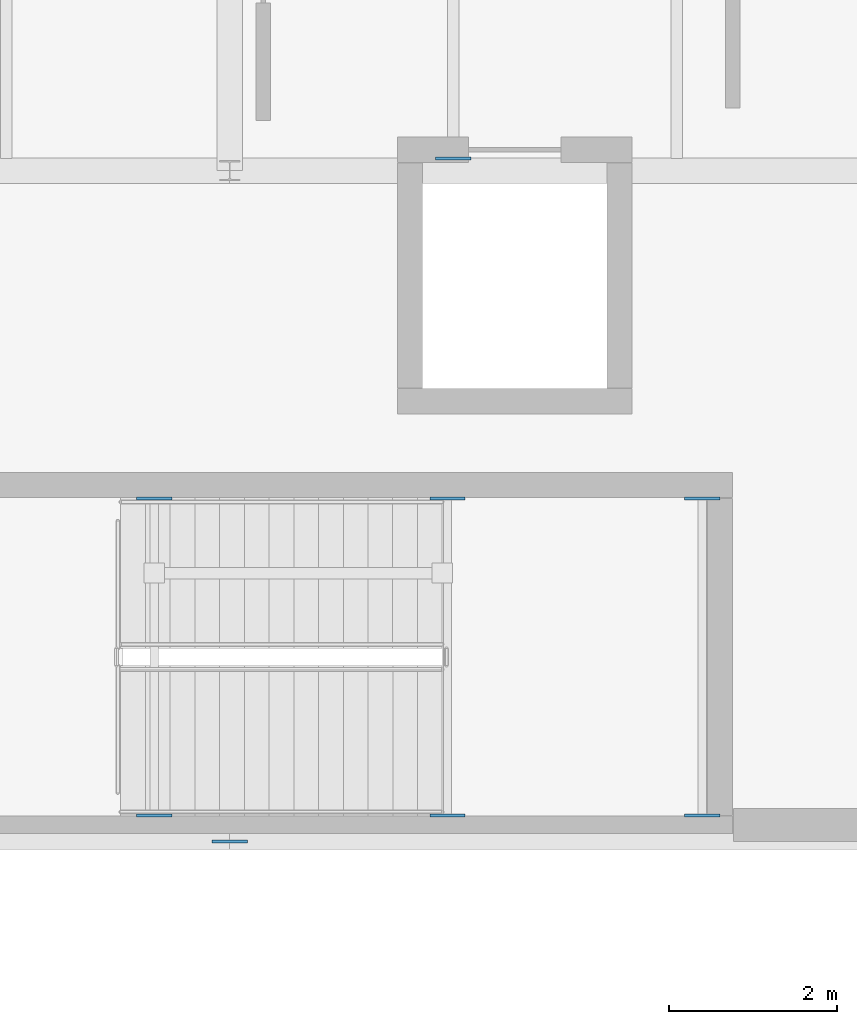
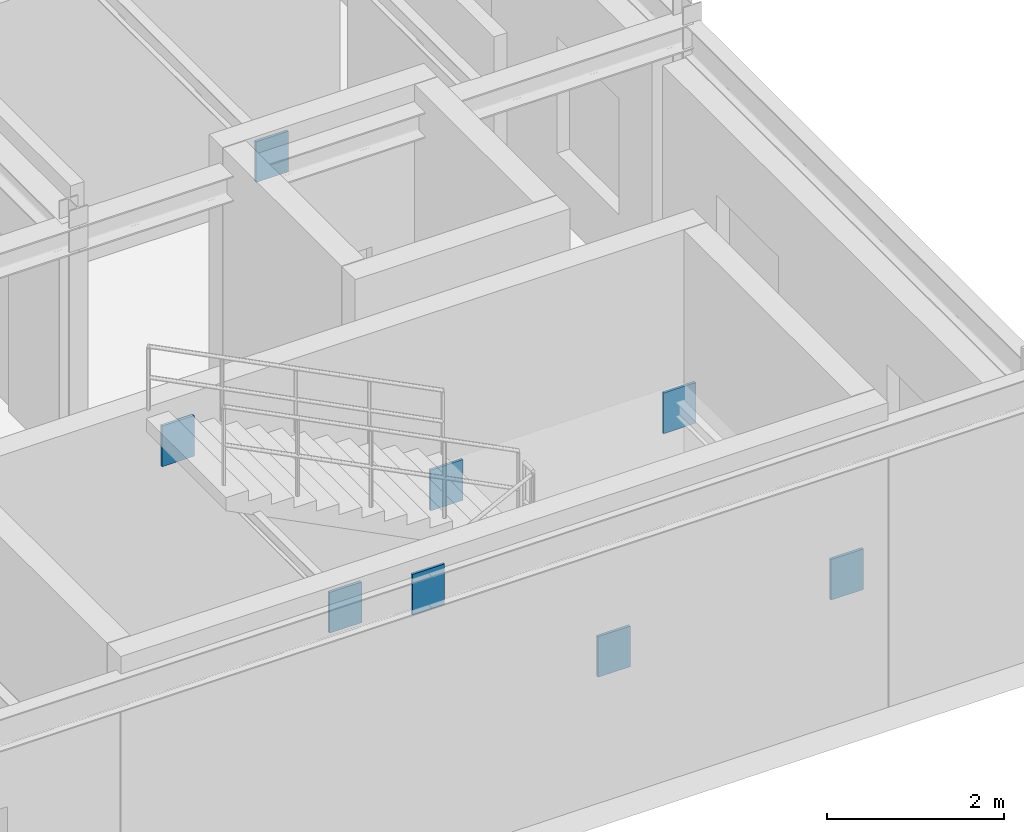
# One storey, part 73 of 124: 8 plates.
"""IFC4 building model written with IfcOpenShell, lengths in metres."""

from ifc_helpers import new_model, si_unit, direction, frame, origin, origin_2d, place, context, subcontext, project, spatial, rectangle, extrude, material, layer, layer_set, type_object, element, save


model = new_model("IFC4")

# Units and contexts
model_context = context("Model", 3, precision=1e-05, world=origin(), true_north=direction((0.0, 1.0)))
body_context = subcontext(model_context, "Body", "Model", "MODEL_VIEW")
ifc_project = project(units=[si_unit("LENGTHUNIT", "METRE"), si_unit("AREAUNIT", "SQUARE_METRE"), si_unit("VOLUMEUNIT", "CUBIC_METRE"), si_unit("PLANEANGLEUNIT", "RADIAN"), si_unit("MASSUNIT", "GRAM", prefix="KILO")], contexts=[model_context])

# Site, building, storey
site_placement = place(None, origin())
site = spatial("IfcSite", under=ifc_project, at=site_placement, CompositionType="ELEMENT")
building_placement = place(site_placement, origin())
building = spatial("IfcBuilding", under=site, at=building_placement, Name="Sundkrona Museum", CompositionType="ELEMENT")
storey_placement = place(building_placement, frame((0.0, 0.0, 17.60009765625)))
storey = spatial("IfcBuildingStorey", under=building, at=storey_placement, Name="L03", CompositionType="ELEMENT", Elevation=17.60009765625)

# Plates
ifc_material = material(Name="Steel S355J2", Category="steel")
ifc_layer = layer(ifc_material, 0.034912109375)
ifc_layer_set = layer_set([ifc_layer], Name="Steel S355J2")
plate_type = type_object("IfcPlateType", Name="EP-1", PredefinedType="USERDEFINED", material=ifc_layer_set)
for number, where, z_axis, x_axis, name in (
    (1, (32.0, 32.0, 3.454833984375), (0.0, 0.0, 1.0), (1.0, 0.0, 0.0), "Core Wall Cast-In Embed Plate BM-L03-X-1442-2"),
    (2, (34.666748046875, 40.14404296875, 3.544921875), (0.0, 0.0, 1.0), (1.0, 0.0, 0.0), "Core Wall Cast-In Embed Plate JS-L03-0992-1"),
    (3, (34.598388671875, 32.31005859375, 1.499755859375), (0.0, 0.0, 1.0), (1.0, 0.0, 0.0), "Core Wall Cast-In Embed Plate BM-STLD-ST-4-L03-1A-1"),
    (4, (34.598388671875, 36.090087890625, 1.499755859375), (0.0, 0.0, 1.0), (1.0, 0.0, 0.0), "Core Wall Cast-In Embed Plate BM-STLD-ST-4-L03-1A-2"),
    (5, (37.63671875, 32.31005859375, 1.499755859375), (0.0, 0.0, 1.0), (1.0, 0.0, 0.0), "Core Wall Cast-In Embed Plate BM-STLD-ST-4-L03-1B-1"),
    (6, (37.63671875, 36.090087890625, 1.499755859375), (0.0, 0.0, 1.0), (1.0, 0.0, 0.0), "Core Wall Cast-In Embed Plate BM-STLD-ST-4-L03-1B-2"),
    (7, (31.10009765625, 32.31005859375, 3.333251953125), (0.0, 0.0, 1.0), (1.0, 0.0, 0.0), "Core Wall Cast-In Embed Plate BM-STHD-ST-4-L03-2-1"),
    (8, (31.10009765625, 36.090087890625, 3.333251953125), (0.0, 0.0, 1.0), (1.0, 0.0, 0.0), "Core Wall Cast-In Embed Plate BM-STHD-ST-4-L03-2-2"),
):
    element("IfcPlate", number, at=place(storey_placement, frame(where, z_axis=z_axis, x_axis=x_axis)), inside=storey, type_object=plate_type, Name=name, ObjectType="GUSSET PLATE", PredefinedType="USERDEFINED", context=body_context, shape_type="SweptSolid", body=[
        extrude(rectangle(XDim=0.419921875, YDim=0.034912109375, at=origin_2d()), origin(), (0.0, 0.0, 1.0), 0.56005859375),
    ])

save(model, "model.ifc")
